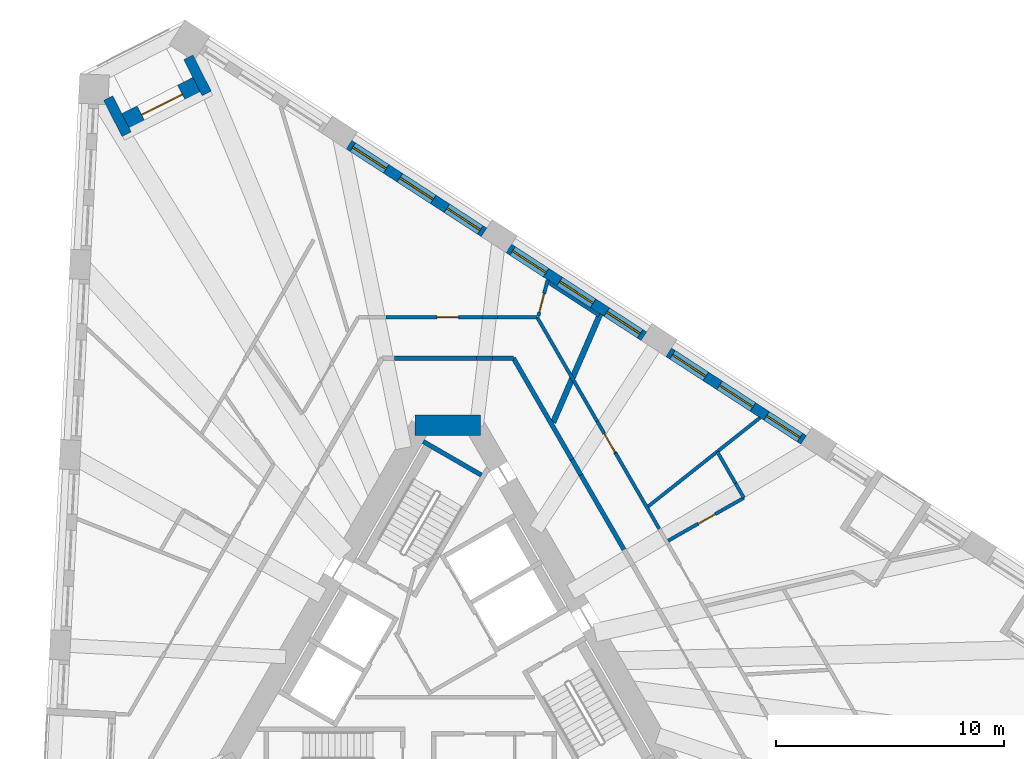
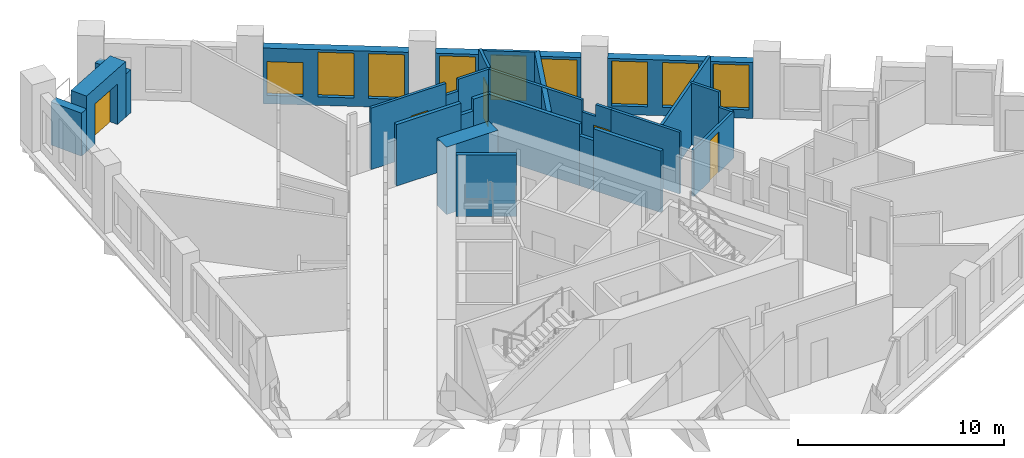
# One storey, part 8 of 13: 27 walls, 9 windows, 5 doors, 14 openings.
"""IFC4 building model written with IfcOpenShell, lengths in metres."""

from ifc_helpers import new_model, si_unit, direction, frame, frame_2d, origin, place, context, subcontext, project, spatial, polyline, rectangle, outline, extrude, material, layer, layer_set, type_object, element, fill, save


model = new_model("IFC4")

# Units and contexts
model_context = context("Model", 3, precision=1e-05, world=origin(), true_north=direction((0.0, 1.0)))
body_context = subcontext(model_context, "Body", "Model", "MODEL_VIEW")
ifc_project = project(units=[si_unit("LENGTHUNIT", "METRE"), si_unit("AREAUNIT", "SQUARE_METRE"), si_unit("VOLUMEUNIT", "CUBIC_METRE"), si_unit("PLANEANGLEUNIT", "RADIAN"), si_unit("MASSUNIT", "GRAM", prefix="KILO")], contexts=[model_context])

# Site, building, storey
site_placement = place(None, origin())
site = spatial("IfcSite", under=ifc_project, at=site_placement, CompositionType="ELEMENT")
building_placement = place(site_placement, origin())
building = spatial("IfcBuilding", under=site, at=building_placement, Name="Tramontana Tower", CompositionType="ELEMENT")
storey_placement = place(building_placement, frame((0.0, 0.0, 141.60009765625)))
storey = spatial("IfcBuildingStorey", under=building, at=storey_placement, Name="L32", CompositionType="ELEMENT", Elevation=141.60009765625)

# Walls
ifc_material_1 = material(Name="Concrete 70 MPa", Category="concrete")
ifc_layer_1 = layer(ifc_material_1, 0.89990234375)
ifc_layer_set_1 = layer_set([ifc_layer_1], Name="Core wall 900 70 MPa")
wall_type_1 = type_object("IfcWallType", Name="Core wall 900 70 MPa", PredefinedType="SHEAR", material=ifc_layer_set_1)
wall_1_placement = place(storey_placement, frame((1.443359375, 10.550048828125, 0.0), z_axis=(0.0, 0.0, 1.0), x_axis=(-1.0, 0.0, 0.0)))
element("IfcWall", 1, at=wall_1_placement, inside=storey, type_object=wall_type_1, Name="Core wall C0 L32", PredefinedType="SHEAR", context=body_context, shape_type="SweptSolid", body=[
    extrude(rectangle(XDim=2.88671875, YDim=0.89990234375, at=frame_2d((1.443359375, 0.0))), origin(), (0.0, 0.0, 1.0), 4.0),
])
ifc_material_2 = material(Name="Blockwork", Category="masonry")
ifc_layer_2 = layer(ifc_material_2, 0.199951171875)
ifc_layer_set_2 = layer_set([ifc_layer_2], Name="ENTRY WALL 200")
wall_type_2 = type_object("IfcWallType", Name="ENTRY WALL 200", PredefinedType="SOLIDWALL", material=ifc_layer_set_2)
wall_2_placement = place(storey_placement, frame((2.88671875, 13.5, 0.0), z_axis=(0.0, 0.0, 1.0), x_axis=(0.50000466804, -0.866022708674, 0.0)))
element("IfcWall", 2, at=wall_2_placement, inside=storey, type_object=wall_type_2, Name="Wall v31-ew0-0", PredefinedType="SOLIDWALL", context=body_context, shape_type="SweptSolid", body=[
    extrude(rectangle(XDim=5.14208984375, YDim=0.199951171875, at=frame_2d((2.571044921875, 0.0))), origin(), (0.0, 0.0, 1.0), 3.64990234375),
])
wall_3_placement = place(storey_placement, frame((5.457763671875, 9.046875, 0.0), z_axis=(0.0, 0.0, 1.0), x_axis=(0.499982474044, -0.866035522163, 0.0)))
element("IfcWall", 3, at=wall_3_placement, inside=storey, type_object=wall_type_2, Name="Wall v31-ew0-1", PredefinedType="SOLIDWALL", context=body_context, shape_type="SweptSolid", body=[
    extrude(rectangle(XDim=0.78564453125, YDim=0.199951171875, at=frame_2d((0.392822265625, 0.0))), origin(), (0.0, 0.0, 1.0), 2.949951171875),
])
wall_4_placement = place(storey_placement, frame((5.8505859375, 8.366455078125, 0.0), z_axis=(0.0, 0.0, 1.0), x_axis=(0.499998034377, -0.866026538634, 0.0)))
element("IfcWall", 4, at=wall_4_placement, inside=storey, type_object=wall_type_2, Name="Wall v31-ew0-2", PredefinedType="SOLIDWALL", context=body_context, shape_type="SweptSolid", body=[
    extrude(rectangle(XDim=3.783203125, YDim=0.199951171875, at=frame_2d((1.8916015625, 0.0))), origin(), (0.0, 0.0, 1.0), 3.64990234375),
])
wall_5_placement = place(storey_placement, frame((-2.33349609375, 13.5, 0.0), z_axis=(0.0, 0.0, 1.0), x_axis=(1.0, 0.0, 0.0)))
element("IfcWall", 5, at=wall_5_placement, inside=storey, type_object=wall_type_2, Name="Wall v31-ew5-1", PredefinedType="SOLIDWALL", context=body_context, shape_type="SweptSolid", body=[
    extrude(rectangle(XDim=3.6025390625, YDim=0.199951171875, at=frame_2d((1.80126953125, 0.0))), origin(), (0.0, 0.0, 1.0), 3.64990234375),
])
wall_6_placement = place(storey_placement, frame((1.26904296875, 13.5, 0.0), z_axis=(0.0, 0.0, 1.0), x_axis=(1.0, 0.0, 0.0)))
element("IfcWall", 6, at=wall_6_placement, inside=storey, type_object=wall_type_2, Name="Wall v31-ew5-2", PredefinedType="SOLIDWALL", context=body_context, shape_type="SweptSolid", body=[
    extrude(rectangle(XDim=0.704833984375, YDim=0.199951171875, at=frame_2d((0.3525390625, 0.0))), origin(), (0.0, 0.0, 1.0), 2.949951171875),
])
wall_7_placement = place(storey_placement, frame((1.973876953125, 13.5, 0.0), z_axis=(0.0, 0.0, 1.0), x_axis=(1.0, 0.0, 0.0)))
element("IfcWall", 7, at=wall_7_placement, inside=storey, type_object=wall_type_2, Name="Wall v31-ew5-3", PredefinedType="SOLIDWALL", context=body_context, shape_type="SweptSolid", body=[
    extrude(rectangle(XDim=0.912841796875, YDim=0.199951171875, at=frame_2d((0.45654296875, 0.0))), origin(), (0.0, 0.0, 1.0), 3.64990234375),
])

# Wall, openings, windows
ifc_material_3 = material(Name="Precast concrete 60 MPa", Category="concrete")
ifc_layer_3 = layer(ifc_material_3, 0.449951171875)
ifc_layer_set_3 = layer_set([ifc_layer_3], Name="Precast concrete 60 MPa, 450 mm")
wall_type_3 = type_object("IfcWallType", Name="EW1 Stone-faced precast wall 450", PredefinedType="SOLIDWALL", material=ifc_layer_set_3)
wall_8_placement = place(storey_placement, frame((15.639404296875, 9.9052734375, 0.0), z_axis=(0.0, 0.0, 1.0), x_axis=(-0.838677021821, 0.54462909679, 0.0)))
wall_8 = element("IfcWall", 8, at=wall_8_placement, inside=storey, type_object=wall_type_3, Name="External wall L32 face 2 bay 3", PredefinedType="SOLIDWALL", context=body_context, shape_type="SweptSolid", body=[
    extrude(rectangle(XDim=7.071533203125, YDim=0.449951171875, at=frame_2d((3.53564453125, 0.0))), origin(), (0.0, 0.0, 1.0), 3.2998046875),
])
opening_1_placement = place(wall_8_placement, frame((0.1953125, 0.0, 0.5)))
opening_1 = element("IfcOpeningElement", 9, at=opening_1_placement, cuts=wall_8, Name="Opening M2", PredefinedType="OPENING", context=body_context, shape_type="SweptSolid", body=[
    extrude(rectangle(XDim=1.75, YDim=2.64990234375, at=frame_2d((0.875, 1.324951171875))), frame((0.0, 0.23486328125, 0.0), z_axis=(0.0, -1.0, 0.0), x_axis=(1.0, 0.0, 0.0)), (0.0, 0.0, 1.0), 0.469970703125),
])
opening_2_placement = place(wall_8_placement, frame((2.660888671875, 0.0, 0.5)))
opening_2 = element("IfcOpeningElement", 10, at=opening_2_placement, cuts=wall_8, Name="Opening M2", PredefinedType="OPENING", context=body_context, shape_type="SweptSolid", body=[
    extrude(rectangle(XDim=1.75, YDim=2.64990234375, at=frame_2d((0.875, 1.324951171875))), frame((0.0, 0.23486328125, 0.0), z_axis=(0.0, -1.0, 0.0), x_axis=(1.0, 0.0, 0.0)), (0.0, 0.0, 1.0), 0.469970703125),
])
opening_3_placement = place(wall_8_placement, frame((5.126220703125, 0.0, 0.5)))
opening_3 = element("IfcOpeningElement", 11, at=opening_3_placement, cuts=wall_8, Name="Opening M2", PredefinedType="OPENING", context=body_context, shape_type="SweptSolid", body=[
    extrude(rectangle(XDim=1.75, YDim=2.64990234375, at=frame_2d((0.875, 1.324951171875))), frame((0.0, 0.23486328125, 0.0), z_axis=(0.0, -1.0, 0.0), x_axis=(1.0, 0.0, 0.0)), (0.0, 0.0, 1.0), 0.469970703125),
])
ifc_material_4 = material(Name="Aluminum frame, double glazing unit", Category="aluminium")
window_type_1 = type_object("IfcWindowType", Name="M2 Window 1.75 x 2.65", PartitioningType="SINGLE_PANEL", PredefinedType="WINDOW", material=ifc_material_4)
window_1_placement = place(opening_1_placement, origin())
window_1 = element("IfcWindow", 12, at=window_1_placement, inside=storey, type_object=window_type_1, Name="Window M2 L32 face 2 module 7", OverallHeight=2.64990234375, OverallWidth=1.75, PartitioningType="SINGLE_PANEL", PredefinedType="WINDOW", context=body_context, shape_type="SweptSolid", body=[
    extrude(rectangle(XDim=1.75, YDim=2.64990234375, at=frame_2d((0.875, 1.324951171875))), frame((0.0, 0.030029296875, 0.0), z_axis=(0.0, -1.0, 0.0), x_axis=(1.0, 0.0, 0.0)), (0.0, 0.0, 1.0), 0.06005859375),
])
fill(opening_1, window_1)
window_2_placement = place(opening_2_placement, origin())
window_2 = element("IfcWindow", 13, at=window_2_placement, inside=storey, type_object=window_type_1, Name="Window M2 L32 face 2 module 8", OverallHeight=2.64990234375, OverallWidth=1.75, PartitioningType="SINGLE_PANEL", PredefinedType="WINDOW", context=body_context, shape_type="SweptSolid", body=[
    extrude(rectangle(XDim=1.75, YDim=2.64990234375, at=frame_2d((0.875, 1.324951171875))), frame((0.0, 0.030029296875, 0.0), z_axis=(0.0, -1.0, 0.0), x_axis=(1.0, 0.0, 0.0)), (0.0, 0.0, 1.0), 0.06005859375),
])
fill(opening_2, window_2)
window_3_placement = place(opening_3_placement, origin())
window_3 = element("IfcWindow", 14, at=window_3_placement, inside=storey, type_object=window_type_1, Name="Window M2 L32 face 2 module 9", OverallHeight=2.64990234375, OverallWidth=1.75, PartitioningType="SINGLE_PANEL", PredefinedType="WINDOW", context=body_context, shape_type="SweptSolid", body=[
    extrude(rectangle(XDim=1.75, YDim=2.64990234375, at=frame_2d((0.875, 1.324951171875))), frame((0.0, 0.030029296875, 0.0), z_axis=(0.0, -1.0, 0.0), x_axis=(1.0, 0.0, 0.0)), (0.0, 0.0, 1.0), 0.06005859375),
])
fill(opening_3, window_3)

wall_9_placement = place(storey_placement, frame((8.618408203125, 14.464599609375, 0.0), z_axis=(0.0, 0.0, 1.0), x_axis=(-0.838661251934, 0.544653380146, 0.0)))
wall_9 = element("IfcWall", 15, at=wall_9_placement, inside=storey, type_object=wall_type_3, Name="External wall L32 face 2 bay 4", PredefinedType="SOLIDWALL", context=body_context, shape_type="SweptSolid", body=[
    extrude(rectangle(XDim=7.071533203125, YDim=0.449951171875, at=frame_2d((3.53564453125, 0.0))), origin(), (0.0, 0.0, 1.0), 3.2998046875),
])
opening_4_placement = place(wall_9_placement, frame((0.1953125, 0.0, 0.5)))
opening_4 = element("IfcOpeningElement", 16, at=opening_4_placement, cuts=wall_9, Name="Opening M2", PredefinedType="OPENING", context=body_context, shape_type="SweptSolid", body=[
    extrude(rectangle(XDim=1.75, YDim=2.64990234375, at=frame_2d((0.875, 1.324951171875))), frame((0.0, 0.23486328125, 0.0), z_axis=(0.0, -1.0, 0.0), x_axis=(1.0, 0.0, 0.0)), (0.0, 0.0, 1.0), 0.469970703125),
])
opening_5_placement = place(wall_9_placement, frame((2.660888671875, 0.0, 0.5)))
opening_5 = element("IfcOpeningElement", 17, at=opening_5_placement, cuts=wall_9, Name="Opening M2", PredefinedType="OPENING", context=body_context, shape_type="SweptSolid", body=[
    extrude(rectangle(XDim=1.75, YDim=2.64990234375, at=frame_2d((0.875, 1.324951171875))), frame((0.0, 0.23486328125, 0.0), z_axis=(0.0, -1.0, 0.0), x_axis=(1.0, 0.0, 0.0)), (0.0, 0.0, 1.0), 0.469970703125),
])
opening_6_placement = place(wall_9_placement, frame((5.126220703125, 0.0, 0.5)))
opening_6 = element("IfcOpeningElement", 18, at=opening_6_placement, cuts=wall_9, Name="Opening M2", PredefinedType="OPENING", context=body_context, shape_type="SweptSolid", body=[
    extrude(rectangle(XDim=1.75, YDim=2.64990234375, at=frame_2d((0.875, 1.324951171875))), frame((0.0, 0.23486328125, 0.0), z_axis=(0.0, -1.0, 0.0), x_axis=(1.0, 0.0, 0.0)), (0.0, 0.0, 1.0), 0.469970703125),
])
window_4_placement = place(opening_4_placement, origin())
window_4 = element("IfcWindow", 19, at=window_4_placement, inside=storey, type_object=window_type_1, Name="Window M2 L32 face 2 module 10", OverallHeight=2.64990234375, OverallWidth=1.75, PartitioningType="SINGLE_PANEL", PredefinedType="WINDOW", context=body_context, shape_type="SweptSolid", body=[
    extrude(rectangle(XDim=1.75, YDim=2.64990234375, at=frame_2d((0.875, 1.324951171875))), frame((0.0, 0.030029296875, 0.0), z_axis=(0.0, -1.0, 0.0), x_axis=(1.0, 0.0, 0.0)), (0.0, 0.0, 1.0), 0.06005859375),
])
fill(opening_4, window_4)
window_5_placement = place(opening_5_placement, origin())
window_5 = element("IfcWindow", 20, at=window_5_placement, inside=storey, type_object=window_type_1, Name="Window M2 L32 face 2 module 11", OverallHeight=2.64990234375, OverallWidth=1.75, PartitioningType="SINGLE_PANEL", PredefinedType="WINDOW", context=body_context, shape_type="SweptSolid", body=[
    extrude(rectangle(XDim=1.75, YDim=2.64990234375, at=frame_2d((0.875, 1.324951171875))), frame((0.0, 0.030029296875, 0.0), z_axis=(0.0, -1.0, 0.0), x_axis=(1.0, 0.0, 0.0)), (0.0, 0.0, 1.0), 0.06005859375),
])
fill(opening_5, window_5)
window_6_placement = place(opening_6_placement, origin())
window_6 = element("IfcWindow", 21, at=window_6_placement, inside=storey, type_object=window_type_1, Name="Window M2 L32 face 2 module 12", OverallHeight=2.64990234375, OverallWidth=1.75, PartitioningType="SINGLE_PANEL", PredefinedType="WINDOW", context=body_context, shape_type="SweptSolid", body=[
    extrude(rectangle(XDim=1.75, YDim=2.64990234375, at=frame_2d((0.875, 1.324951171875))), frame((0.0, 0.030029296875, 0.0), z_axis=(0.0, -1.0, 0.0), x_axis=(1.0, 0.0, 0.0)), (0.0, 0.0, 1.0), 0.06005859375),
])
fill(opening_6, window_6)

wall_10_placement = place(storey_placement, frame((1.597412109375, 19.024169921875, 0.0), z_axis=(0.0, 0.0, 1.0), x_axis=(-0.838677021821, 0.54462909679, 0.0)))
wall_10 = element("IfcWall", 22, at=wall_10_placement, inside=storey, type_object=wall_type_3, Name="External wall L32 face 2 bay 5", PredefinedType="SOLIDWALL", context=body_context, shape_type="SweptSolid", body=[
    extrude(rectangle(XDim=7.071533203125, YDim=0.449951171875, at=frame_2d((3.53564453125, 0.0))), origin(), (0.0, 0.0, 1.0), 3.2998046875),
])
opening_7_placement = place(wall_10_placement, frame((0.1953125, 0.0, 0.5)))
opening_7 = element("IfcOpeningElement", 23, at=opening_7_placement, cuts=wall_10, Name="Opening M2", PredefinedType="OPENING", context=body_context, shape_type="SweptSolid", body=[
    extrude(rectangle(XDim=1.75, YDim=2.64990234375, at=frame_2d((0.875, 1.324951171875))), frame((0.0, 0.23486328125, 0.0), z_axis=(0.0, -1.0, 0.0), x_axis=(1.0, 0.0, 0.0)), (0.0, 0.0, 1.0), 0.469970703125),
])
opening_8_placement = place(wall_10_placement, frame((2.660888671875, 0.0, 0.5)))
opening_8 = element("IfcOpeningElement", 24, at=opening_8_placement, cuts=wall_10, Name="Opening M2", PredefinedType="OPENING", context=body_context, shape_type="SweptSolid", body=[
    extrude(rectangle(XDim=1.75, YDim=2.64990234375, at=frame_2d((0.875, 1.324951171875))), frame((0.0, 0.23486328125, 0.0), z_axis=(0.0, -1.0, 0.0), x_axis=(1.0, 0.0, 0.0)), (0.0, 0.0, 1.0), 0.469970703125),
])
opening_9_placement = place(wall_10_placement, frame((5.126220703125, 0.0, 0.5)))
opening_9 = element("IfcOpeningElement", 25, at=opening_9_placement, cuts=wall_10, Name="Opening M2L", PredefinedType="OPENING", context=body_context, shape_type="SweptSolid", body=[
    extrude(rectangle(XDim=1.75, YDim=2.0, at=frame_2d((0.875, 1.0))), frame((0.0, 0.23486328125, 0.0), z_axis=(0.0, -1.0, 0.0), x_axis=(1.0, 0.0, 0.0)), (0.0, 0.0, 1.0), 0.469970703125),
])
window_7_placement = place(opening_7_placement, origin())
window_7 = element("IfcWindow", 26, at=window_7_placement, inside=storey, type_object=window_type_1, Name="Window M2 L32 face 2 module 13", OverallHeight=2.64990234375, OverallWidth=1.75, PartitioningType="SINGLE_PANEL", PredefinedType="WINDOW", context=body_context, shape_type="SweptSolid", body=[
    extrude(rectangle(XDim=1.75, YDim=2.64990234375, at=frame_2d((0.875, 1.324951171875))), frame((0.0, 0.030029296875, 0.0), z_axis=(0.0, -1.0, 0.0), x_axis=(1.0, 0.0, 0.0)), (0.0, 0.0, 1.0), 0.06005859375),
])
fill(opening_7, window_7)
window_8_placement = place(opening_8_placement, origin())
window_8 = element("IfcWindow", 27, at=window_8_placement, inside=storey, type_object=window_type_1, Name="Window M2 L32 face 2 module 14", OverallHeight=2.64990234375, OverallWidth=1.75, PartitioningType="SINGLE_PANEL", PredefinedType="WINDOW", context=body_context, shape_type="SweptSolid", body=[
    extrude(rectangle(XDim=1.75, YDim=2.64990234375, at=frame_2d((0.875, 1.324951171875))), frame((0.0, 0.030029296875, 0.0), z_axis=(0.0, -1.0, 0.0), x_axis=(1.0, 0.0, 0.0)), (0.0, 0.0, 1.0), 0.06005859375),
])
fill(opening_8, window_8)
ifc_material_5 = material(Name="Aluminum frame, double glazing unit", Category="aluminium")
window_type_2 = type_object("IfcWindowType", Name="M2L Window 1.75 x 2", PartitioningType="SINGLE_PANEL", PredefinedType="WINDOW", material=ifc_material_5)
window_9_placement = place(opening_9_placement, origin())
window_9 = element("IfcWindow", 28, at=window_9_placement, inside=storey, type_object=window_type_2, Name="Window M2L L32 face 2 module 15", OverallHeight=2.0, OverallWidth=1.75, PartitioningType="SINGLE_PANEL", PredefinedType="WINDOW", context=body_context, shape_type="SweptSolid", body=[
    extrude(rectangle(XDim=1.75, YDim=2.0, at=frame_2d((0.875, 1.0))), frame((0.0, 0.030029296875, 0.0), z_axis=(0.0, -1.0, 0.0), x_axis=(1.0, 0.0, 0.0)), (0.0, 0.0, 1.0), 0.06005859375),
])
fill(opening_9, window_9)

# Walls
for number, where, z_axis, x_axis, name in (
    (29, (-14.916015625, 24.924072265625, 0.0), (0.0, 0.0, 1.0), (0.453952505513, -0.891025882193, 0.0), "Corner loggia side wall L32 K30l"),
    (30, (-11.396484375, 26.71728515625, 0.0), (0.0, 0.0, 1.0), (0.453952505513, -0.891025882193, 0.0), "Corner loggia side wall L32 K30r"),
):
    element("IfcWall", number, at=place(storey_placement, frame(where, z_axis=z_axis, x_axis=x_axis)), inside=storey, type_object=wall_type_3, Name=name, PredefinedType="SOLIDWALL", context=body_context, shape_type="SweptSolid", body=[
        extrude(rectangle(XDim=1.779052734375, YDim=0.449951171875, at=frame_2d((0.8896484375, 0.0))), origin(), (0.0, 0.0, 1.0), 2.5498046875),
    ])

# Wall, opening, door
ifc_material_6 = material(Name="Precast concrete 60 MPa", Category="concrete")
ifc_layer_4 = layer(ifc_material_6, 0.89990234375)
ifc_layer_set_4 = layer_set([ifc_layer_4], Name="EW2 Stone-faced corner loggia wall 900")
wall_type_4 = type_object("IfcWallType", Name="EW2 Stone-faced corner loggia wall 900", PredefinedType="SOLIDWALL", material=ifc_layer_set_4)
wall_11_placement = place(storey_placement, frame((-14.112060546875, 23.841796875, 0.0), z_axis=(0.0, 0.0, 1.0), x_axis=(0.890983062796, 0.454036542374, 0.0)))
wall_11 = element("IfcWall", 31, at=wall_11_placement, inside=storey, type_object=wall_type_4, Name="Corner loggia wall L32 K30", PredefinedType="SOLIDWALL", context=body_context, shape_type="SweptSolid", body=[
    extrude(rectangle(XDim=3.5, YDim=0.89990234375, at=frame_2d((1.75, 0.0))), origin(), (0.0, 0.0, 1.0), 3.2998046875),
])
opening_10_placement = place(wall_11_placement, frame((0.75, 0.0, 0.0)))
opening_10 = element("IfcOpeningElement", 32, at=opening_10_placement, cuts=wall_11, Name="Opening BD-30C", PredefinedType="OPENING", context=body_context, shape_type="SweptSolid", body=[
    extrude(rectangle(XDim=2.0, YDim=2.39990234375, at=frame_2d((1.0, 1.199951171875))), frame((0.0, 0.4599609375, 0.0), z_axis=(0.0, -1.0, 0.0), x_axis=(1.0, 0.0, 0.0)), (0.0, 0.0, 1.0), 0.919921875),
])
ifc_material_7 = material(Name="Aluminum frame, double glazing unit", Category="aluminium")
door_type_1 = type_object("IfcDoorType", Name="BC1 Sliding door 2 x 2.4", OperationType="SLIDING_TO_LEFT", PredefinedType="DOOR", material=ifc_material_7)
door_1_placement = place(opening_10_placement, origin())
door_1 = element("IfcDoor", 33, at=door_1_placement, inside=storey, type_object=door_type_1, Name="Corner loggia door L32 K30", OperationType="SLIDING_TO_LEFT", OverallHeight=2.39990234375, OverallWidth=2.0, PredefinedType="DOOR", context=body_context, shape_type="SweptSolid", body=[
    extrude(rectangle(XDim=2.0, YDim=2.39990234375, at=frame_2d((1.0, 1.199951171875))), frame((0.0, 0.02490234375, 0.0), z_axis=(0.0, -1.0, 0.0), x_axis=(1.0, 0.0, 0.0)), (0.0, 0.0, 1.0), 0.050048828125),
])
fill(opening_10, door_1)

ifc_material_8 = material(Name="Gypsum board partition")
ifc_layer_5 = layer(ifc_material_8, 0.14990234375)
ifc_layer_set_5 = layer_set([ifc_layer_5], Name="PARTITION 150")
wall_type_5 = type_object("IfcWallType", Name="PARTITION 150", PredefinedType="PARTITIONING", material=ifc_layer_set_5)
wall_12_placement = place(storey_placement, frame((-2.711669921875, 15.300048828125, 0.0), z_axis=(0.0, 0.0, 1.0), x_axis=(1.0, 0.0, 0.0)))
wall_12 = element("IfcWall", 34, at=wall_12_placement, inside=storey, type_object=wall_type_5, Name="Wall v31-pw22-2", PredefinedType="PARTITIONING", context=body_context, shape_type="SweptSolid", body=[
    extrude(rectangle(XDim=4.20947265625, YDim=0.14990234375, at=frame_2d((2.104736328125, 0.0))), origin(), (0.0, 0.0, 1.0), 3.64990234375),
])
opening_11_placement = place(wall_12_placement, frame((2.23681640625, 0.0, 0.0)))
opening_11 = element("IfcOpeningElement", 35, at=opening_11_placement, cuts=wall_12, Name="Opening B3B-04", PredefinedType="OPENING", context=body_context, shape_type="SweptSolid", body=[
    extrude(rectangle(XDim=0.949951171875, YDim=2.39990234375, at=frame_2d((0.47509765625, 1.199951171875))), frame((0.0, 0.0849609375, 0.0), z_axis=(0.0, -1.0, 0.0), x_axis=(1.0, 0.0, 0.0)), (0.0, 0.0, 1.0), 0.169921875),
])
ifc_material_9 = material(Name="Painted timber", Category="wood")
door_type_2 = type_object("IfcDoorType", Name="DOOR ROOM 950", OperationType="SINGLE_SWING_LEFT", PredefinedType="DOOR", material=ifc_material_9)
door_2_placement = place(opening_11_placement, origin())
door_2 = element("IfcDoor", 36, at=door_2_placement, inside=storey, type_object=door_type_2, Name="Door B3B-04", OperationType="SINGLE_SWING_RIGHT", OverallHeight=2.39990234375, OverallWidth=0.949951171875, PredefinedType="DOOR", context=body_context, shape_type="SweptSolid", body=[
    extrude(rectangle(XDim=0.949951171875, YDim=2.39990234375, at=frame_2d((0.47509765625, 1.199951171875))), frame((0.0, 0.02490234375, 0.0), z_axis=(0.0, -1.0, 0.0), x_axis=(1.0, 0.0, 0.0)), (0.0, 0.0, 1.0), 0.050048828125),
])
fill(opening_11, door_2)

# Walls
wall_13_placement = place(storey_placement, frame((1.497802734375, 15.300048828125, 0.0), z_axis=(0.0, 0.0, 1.0), x_axis=(1.0, 0.0, 0.0)))
element("IfcWall", 37, at=wall_13_placement, inside=storey, type_object=wall_type_5, Name="Wall v31-pw22-3", PredefinedType="PARTITIONING", context=body_context, shape_type="SweptSolid", body=[
    extrude(rectangle(XDim=0.6796875, YDim=0.14990234375, at=frame_2d((0.33984375, 0.0))), origin(), (0.0, 0.0, 1.0), 2.949951171875),
])
wall_14_placement = place(storey_placement, frame((2.177490234375, 15.300048828125, 0.0), z_axis=(0.0, 0.0, 1.0), x_axis=(1.0, 0.0, 0.0)))
element("IfcWall", 38, at=wall_14_placement, inside=storey, type_object=wall_type_5, Name="Wall v31-pw22-4", PredefinedType="PARTITIONING", context=body_context, shape_type="SweptSolid", body=[
    extrude(rectangle(XDim=1.748291015625, YDim=0.14990234375, at=frame_2d((0.8740234375, 0.0))), origin(), (0.0, 0.0, 1.0), 3.64990234375),
])
wall_15_placement = place(storey_placement, frame((3.926025390625, 15.300048828125, 0.0), z_axis=(0.0, 0.0, 1.0), x_axis=(0.499974706519, -0.86604000649, 0.0)))
element("IfcWall", 39, at=wall_15_placement, inside=storey, type_object=wall_type_5, Name="Wall v31-pw29-0", PredefinedType="PARTITIONING", context=body_context, shape_type="SweptSolid", body=[
    extrude(rectangle(XDim=5.278076171875, YDim=0.14990234375, at=frame_2d((2.63916015625, 0.0))), origin(), (0.0, 0.0, 1.0), 3.64990234375),
])

# Wall, opening, door
wall_16_placement = place(storey_placement, frame((6.56494140625, 10.72900390625, 0.0), z_axis=(0.0, 0.0, 1.0), x_axis=(0.500004488726, -0.866022812202, 0.0)))
wall_16 = element("IfcWall", 40, at=wall_16_placement, inside=storey, type_object=wall_type_5, Name="Wall v31-pw29-1", PredefinedType="PARTITIONING", context=body_context, shape_type="SweptSolid", body=[
    extrude(outline(polyline([(0.0, 0.0), (1.62353515625, 0.0), (1.623291015625, 3.64990234375), (0.757568359375, 3.64990234375), (0.757568359375, 2.949951171875), (0.0, 2.949951171875), (0.0, 0.0)])), frame((0.0, 0.074951171875, 0.0), z_axis=(0.0, -1.0, 0.0), x_axis=(1.0, 0.0, 0.0)), (0.0, 0.0, 1.0), 0.14990234375),
])
opening_12_placement = place(wall_16_placement, frame((0.623291015625, 0.0, 0.0)))
opening_12 = element("IfcOpeningElement", 41, at=opening_12_placement, cuts=wall_16, Name="Opening B3B-22", PredefinedType="OPENING", context=body_context, shape_type="SweptSolid", body=[
    extrude(rectangle(XDim=0.949951171875, YDim=2.39990234375, at=frame_2d((0.47509765625, 1.199951171875))), frame((0.0, 0.0849609375, 0.0), z_axis=(0.0, -1.0, 0.0), x_axis=(1.0, 0.0, 0.0)), (0.0, 0.0, 1.0), 0.169921875),
])
door_3_placement = place(opening_12_placement, origin())
door_3 = element("IfcDoor", 42, at=door_3_placement, inside=storey, type_object=door_type_2, Name="Door B3B-22", OperationType="SINGLE_SWING_RIGHT", OverallHeight=2.39990234375, OverallWidth=0.949951171875, PredefinedType="DOOR", context=body_context, shape_type="SweptSolid", body=[
    extrude(rectangle(XDim=0.949951171875, YDim=2.39990234375, at=frame_2d((0.47509765625, 1.199951171875))), frame((0.0, 0.02490234375, 0.0), z_axis=(0.0, -1.0, 0.0), x_axis=(1.0, 0.0, 0.0)), (0.0, 0.0, 1.0), 0.050048828125),
])
fill(opening_12, door_3)

# Wall
wall_17_placement = place(storey_placement, frame((7.376708984375, 9.322998046875, 0.0), z_axis=(0.0, 0.0, 1.0), x_axis=(0.500021918639, -0.866012748683, 0.0)))
element("IfcWall", 43, at=wall_17_placement, inside=storey, type_object=wall_type_5, Name="Wall v31-pw29-2", PredefinedType="PARTITIONING", context=body_context, shape_type="SweptSolid", body=[
    extrude(rectangle(XDim=3.834228515625, YDim=0.14990234375, at=frame_2d((1.9169921875, 0.0))), origin(), (0.0, 0.0, 1.0), 3.64990234375),
])

# Wall, opening, door
wall_18_placement = place(storey_placement, frame((4.3935546875, 16.93994140625, 0.0), z_axis=(0.0, 0.0, 1.0), x_axis=(-0.25107585542, -0.967967414134, 0.0)))
wall_18 = element("IfcWall", 44, at=wall_18_placement, inside=storey, type_object=wall_type_5, Name="Wall v31-pw30", PredefinedType="PARTITIONING", context=body_context, shape_type="SweptSolid", body=[
    extrude(rectangle(XDim=1.639404296875, YDim=0.14990234375, at=frame_2d((0.81982421875, 0.0))), origin(), (0.0, 0.0, 1.0), 3.64990234375),
])
opening_13_placement = place(wall_18_placement, frame((0.619384765625, 0.0, 0.0)))
opening_13 = element("IfcOpeningElement", 45, at=opening_13_placement, cuts=wall_18, Name="Opening B3B-07", PredefinedType="OPENING", context=body_context, shape_type="SweptSolid", body=[
    extrude(rectangle(XDim=0.85009765625, YDim=2.39990234375, at=frame_2d((0.425048828125, 1.199951171875))), frame((0.0, 0.0849609375, 0.0), z_axis=(0.0, -1.0, 0.0), x_axis=(1.0, 0.0, 0.0)), (0.0, 0.0, 1.0), 0.169921875),
])
ifc_material_10 = material(Name="Painted timber", Category="wood")
door_type_3 = type_object("IfcDoorType", Name="DOOR BATH 850", OperationType="SINGLE_SWING_LEFT", PredefinedType="DOOR", material=ifc_material_10)
door_4_placement = place(opening_13_placement, origin())
door_4 = element("IfcDoor", 46, at=door_4_placement, inside=storey, type_object=door_type_3, Name="Door B3B-07", OperationType="SINGLE_SWING_LEFT", OverallHeight=2.39990234375, OverallWidth=0.85009765625, PredefinedType="DOOR", context=body_context, shape_type="SweptSolid", body=[
    extrude(rectangle(XDim=0.85009765625, YDim=2.39990234375, at=frame_2d((0.425048828125, 1.199951171875))), frame((0.0, 0.02490234375, 0.0), z_axis=(0.0, -1.0, 0.0), x_axis=(1.0, 0.0, 0.0)), (0.0, 0.0, 1.0), 0.050048828125),
])
fill(opening_13, door_4)

# Walls
wall_19_placement = place(storey_placement, frame((4.34716796875, 16.86865234375, 0.0), z_axis=(0.0, 0.0, 1.0), x_axis=(0.838666585339, -0.544645167643, 0.0)))
element("IfcWall", 47, at=wall_19_placement, inside=storey, type_object=wall_type_5, Name="Wall v31-pw31", PredefinedType="PARTITIONING", context=body_context, shape_type="SweptSolid", body=[
    extrude(rectangle(XDim=2.7509765625, YDim=0.14990234375, at=frame_2d((1.37548828125, 0.0))), origin(), (0.0, 0.0, 1.0), 3.64990234375),
])
wall_20_placement = place(storey_placement, frame((8.8115234375, 6.988037109375, 0.0), z_axis=(0.0, 0.0, 1.0), x_axis=(0.783495717036, 0.621397184887, 0.0)))
element("IfcWall", 48, at=wall_20_placement, inside=storey, type_object=wall_type_5, Name="Wall v31-pw33", PredefinedType="PARTITIONING", context=body_context, shape_type="SweptSolid", body=[
    extrude(rectangle(XDim=6.26708984375, YDim=0.14990234375, at=frame_2d((3.133544921875, 0.0))), origin(), (0.0, 0.0, 1.0), 3.64990234375),
])
wall_21_placement = place(storey_placement, frame((11.842529296875, 9.38818359375, 0.0), z_axis=(0.0, 0.0, 1.0), x_axis=(0.499995408039, -0.866028054938, 0.0)))
element("IfcWall", 49, at=wall_21_placement, inside=storey, type_object=wall_type_5, Name="Wall v31-pw36-0", PredefinedType="PARTITIONING", context=body_context, shape_type="SweptSolid", body=[
    extrude(rectangle(XDim=1.60009765625, YDim=0.14990234375, at=frame_2d((0.800048828125, 0.0))), origin(), (0.0, 0.0, 1.0), 3.64990234375),
])
wall_22_placement = place(storey_placement, frame((12.642578125, 8.00244140625, 0.0), z_axis=(0.0, 0.0, 1.0), x_axis=(0.500008142102, -0.866020702889, 0.0)))
element("IfcWall", 50, at=wall_22_placement, inside=storey, type_object=wall_type_5, Name="Wall v31-pw36-1", PredefinedType="PARTITIONING", context=body_context, shape_type="SweptSolid", body=[
    extrude(rectangle(XDim=0.73974609375, YDim=0.14990234375, at=frame_2d((0.369873046875, 0.0))), origin(), (0.0, 0.0, 1.0), 2.75),
])

# Wall, opening, door
wall_23_placement = place(storey_placement, frame((9.68310546875, 5.478271484375, 0.0), z_axis=(0.0, 0.0, 1.0), x_axis=(0.870367823752, 0.492402123652, 0.0)))
wall_23 = element("IfcWall", 51, at=wall_23_placement, inside=storey, type_object=wall_type_5, Name="Wall v31-pw37-0", PredefinedType="PARTITIONING", context=body_context, shape_type="SweptSolid", body=[
    extrude(rectangle(XDim=3.8251953125, YDim=0.14990234375, at=frame_2d((1.91259765625, 0.0))), origin(), (0.0, 0.0, 1.0), 2.75),
])
opening_14_placement = place(wall_23_placement, frame((1.530029296875, 0.0, 0.0)))
opening_14 = element("IfcOpeningElement", 52, at=opening_14_placement, cuts=wall_23, Name="Opening B3B-24", PredefinedType="OPENING", context=body_context, shape_type="SweptSolid", body=[
    extrude(rectangle(XDim=0.85009765625, YDim=2.39990234375, at=frame_2d((0.425048828125, 1.199951171875))), frame((0.0, 0.0849609375, 0.0), z_axis=(0.0, -1.0, 0.0), x_axis=(1.0, 0.0, 0.0)), (0.0, 0.0, 1.0), 0.169921875),
])
door_5_placement = place(opening_14_placement, origin())
door_5 = element("IfcDoor", 53, at=door_5_placement, inside=storey, type_object=door_type_3, Name="Door B3B-24", OperationType="SINGLE_SWING_RIGHT", OverallHeight=2.39990234375, OverallWidth=0.85009765625, PredefinedType="DOOR", context=body_context, shape_type="SweptSolid", body=[
    extrude(rectangle(XDim=0.85009765625, YDim=2.39990234375, at=frame_2d((0.425048828125, 1.199951171875))), frame((0.0, 0.02490234375, 0.0), z_axis=(0.0, -1.0, 0.0), x_axis=(1.0, 0.0, 0.0)), (0.0, 0.0, 1.0), 0.050048828125),
])
fill(opening_14, door_5)

# Walls
ifc_material_11 = material(Name="Blockwork", Category="masonry")
ifc_layer_6 = layer(ifc_material_11, 0.25)
ifc_layer_set_6 = layer_set([ifc_layer_6], Name="PARTY WALL 250")
wall_type_6 = type_object("IfcWallType", Name="PARTY WALL 250", PredefinedType="SOLIDWALL", material=ifc_layer_set_6)
wall_24_placement = place(storey_placement, frame((6.70068359375, 15.441650390625, 0.0), z_axis=(0.0, 0.0, 1.0), x_axis=(-0.398055808136, -0.917361201277, 0.0)))
element("IfcWall", 54, at=wall_24_placement, inside=storey, type_object=wall_type_6, Name="Wall v31-pw32", PredefinedType="SOLIDWALL", context=body_context, shape_type="SweptSolid", body=[
    extrude(rectangle(XDim=5.19482421875, YDim=0.25, at=frame_2d((2.597412109375, 0.0))), origin(), (0.0, 0.0, 1.0), 3.64990234375),
])
ifc_material_12 = material(Name="Concrete 70 MPa", Category="concrete")
ifc_layer_7 = layer(ifc_material_12, 0.199951171875)
ifc_layer_set_7 = layer_set([ifc_layer_7], Name="Concrete 70 MPa, 200 mm")
wall_type_7 = type_object("IfcWallType", Name="RC STAIR AND SHAFT WALL 200", PredefinedType="SOLIDWALL", material=ifc_layer_set_7)
wall_25_placement = place(storey_placement, frame((1.478515625, 8.36083984375, 0.0), z_axis=(0.0, 0.0, 1.0), x_axis=(-0.866003658127, 0.500037662692, 0.0)))
element("IfcWall", 55, at=wall_25_placement, inside=storey, type_object=wall_type_7, Name="Wall st1-far", PredefinedType="SOLIDWALL", context=body_context, shape_type="SweptSolid", body=[
    extrude(rectangle(XDim=2.949951171875, YDim=0.199951171875, at=frame_2d((1.47509765625, 0.0))), origin(), (0.0, 0.0, 1.0), 3.64990234375),
])

save(model, "model.ifc")
